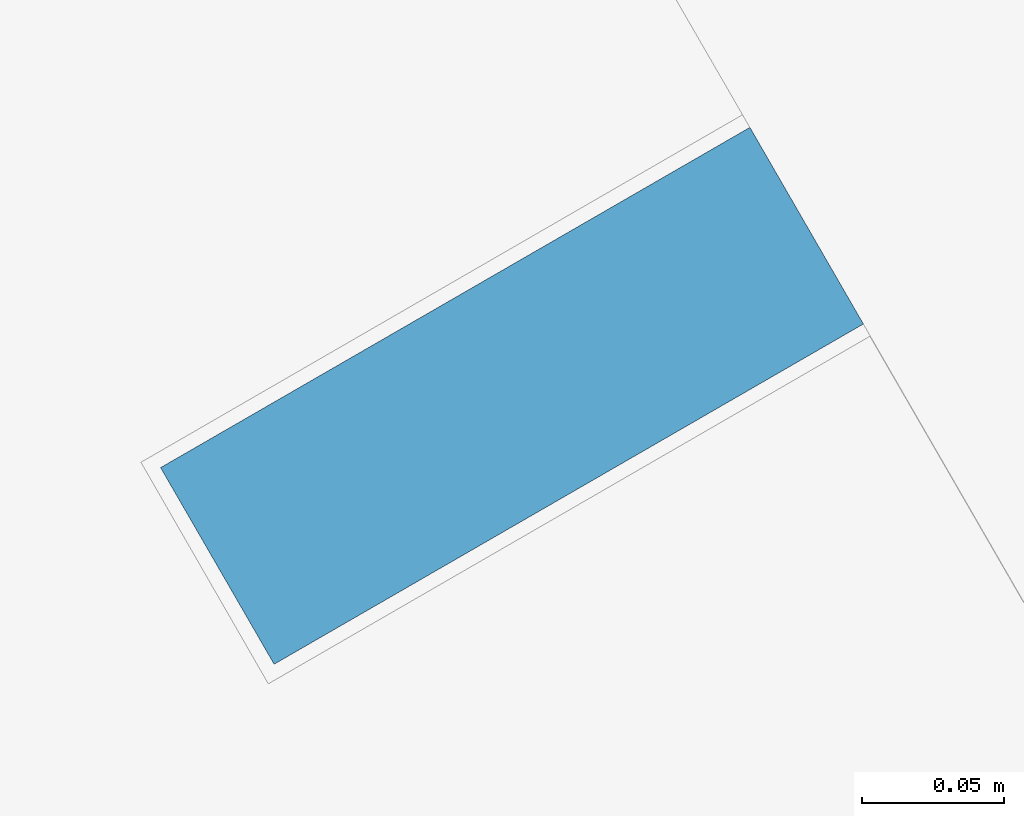
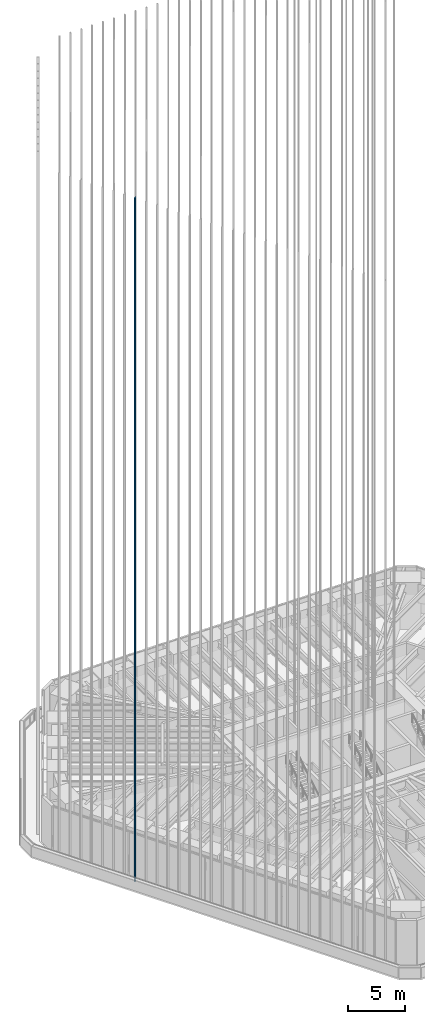
# One storey, part 55 of 228: 1 member, 1 element without a shape of its own.
"""IFC4 building model written with IfcOpenShell, lengths in metres."""

from ifc_helpers import new_model, si_unit, direction, frame, origin, origin_2d, place, context, subcontext, project, spatial, rectangle, extrude, material, material_profile, profile_set, type_object, element, aggregate, save


model = new_model("IFC4")

# Units and contexts
model_context = context("Model", 3, precision=1e-05, world=origin(), true_north=direction((0.0, 1.0)))
body_context = subcontext(model_context, "Body", "Model", "MODEL_VIEW")
ifc_project = project(units=[si_unit("LENGTHUNIT", "METRE"), si_unit("AREAUNIT", "SQUARE_METRE"), si_unit("VOLUMEUNIT", "CUBIC_METRE"), si_unit("PLANEANGLEUNIT", "RADIAN"), si_unit("MASSUNIT", "GRAM", prefix="KILO")], contexts=[model_context])

# Site, building, storey
site_placement = place(None, origin())
site = spatial("IfcSite", under=ifc_project, at=site_placement, CompositionType="ELEMENT")
building_placement = place(site_placement, origin())
building = spatial("IfcBuilding", under=site, at=building_placement, Name="Sandreach Pilgrim Tower", CompositionType="ELEMENT")
storey_placement = place(building_placement, frame((0.0, 0.0, 178.199951171875)))
storey = spatial("IfcBuildingStorey", under=building, at=storey_placement, Name="L44", CompositionType="ELEMENT", Elevation=178.199951171875)

# Curtain wall, member
ifc_material_1 = material(Name="Aluminium framed curtain wall", Category="aluminium")
curtain_wall_type = type_object("IfcCurtainWallType", Name="Upper hotel tower curtain wall", PredefinedType="NOTDEFINED", material=ifc_material_1)
curtain_wall_placement = place(storey_placement, origin())
curtain_wall = element("IfcCurtainWall", 1, at=curtain_wall_placement, inside=storey, type_object=curtain_wall_type, Name="CW-3 L44 SW", PredefinedType="NOTDEFINED")
ifc_material_2 = material(Name="Extruded terracotta on aluminium core", Category="masonry")
ifc_material_profile = material_profile(ifc_material_2, rectangle(XDim=0.080078125, YDim=0.239990234375, at=origin_2d()), Name="TBW 80X240")
ifc_profile_set = profile_set([ifc_material_profile], Name="Extruded terracotta on aluminium core")
member_type = type_object("IfcMemberType", Name="Terracotta baguette west", PredefinedType="USERDEFINED", material=ifc_profile_set)
member_placement = place(storey_placement, frame((-23.096923828125, -3.155029296875, 0.0), z_axis=(0.0, 0.0, 1.0), x_axis=(-0.5, 0.866025403784, 0.0)))
member = element("IfcMember", 2, at=member_placement, type_object=member_type, Name="Baguette Z3 SW24", ObjectType="BAGUETTE", PredefinedType="USERDEFINED", context=body_context, shape_type="SweptSolid", body=[
    extrude(rectangle(XDim=0.080078125, YDim=0.239990234375, at=origin_2d()), origin(), (0.0, 0.0, 1.0), 73.239990234375),
])
aggregate(curtain_wall, [member])

save(model, "model.ifc")
